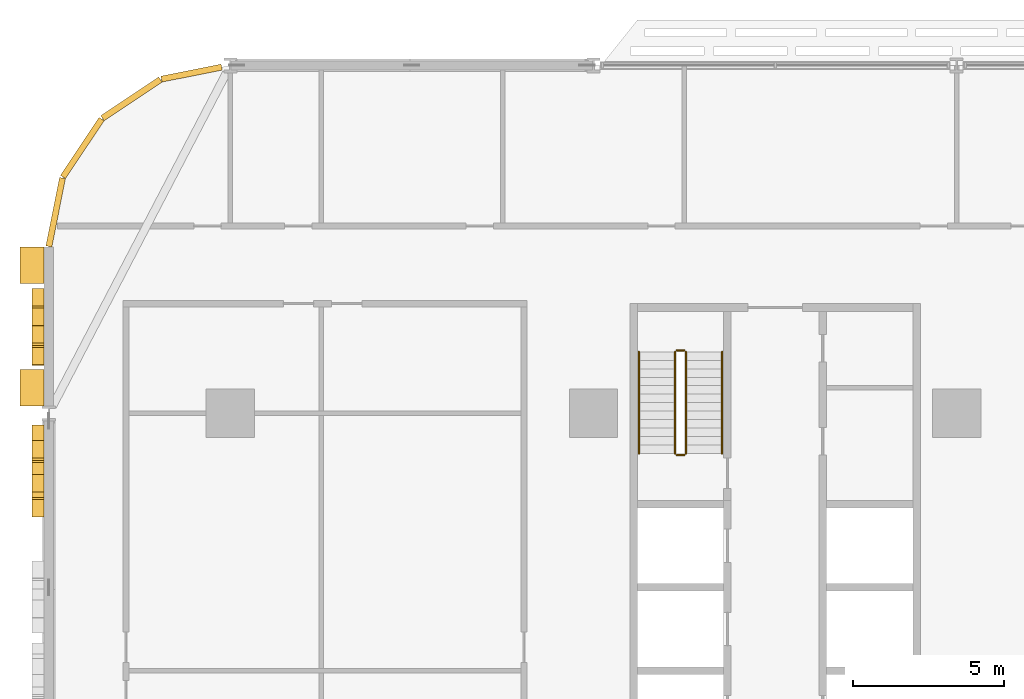
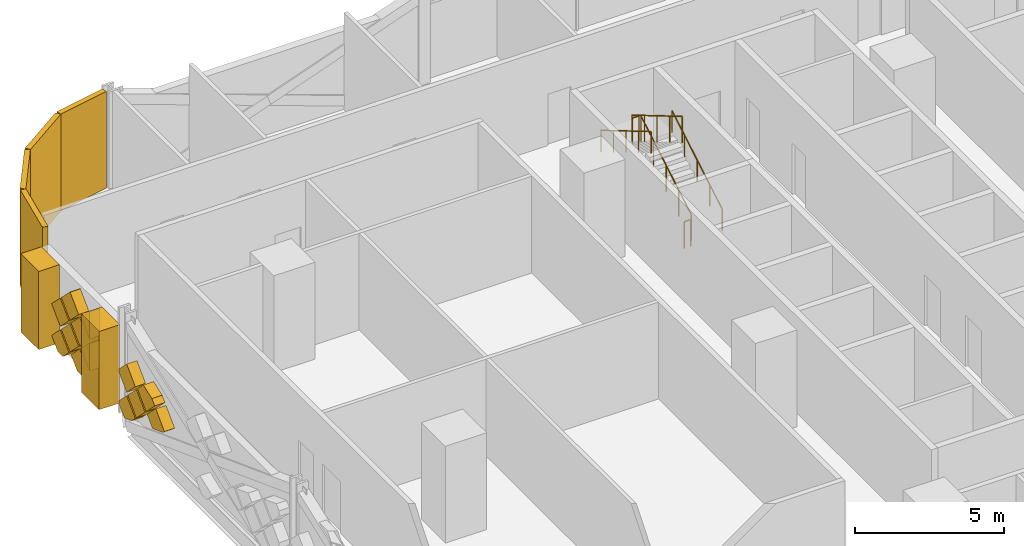
# One storey, part 24 of 27: 19 coverings, 6 railings.
"""IFC4 building model written with IfcOpenShell, lengths in metres."""

from ifc_helpers import new_model, si_unit, direction, frame, origin, origin_2d, place, context, subcontext, project, spatial, polyline, rectangle, circle, outline, extrude, material, layer, layer_set, type_object, element, save


model = new_model("IFC4")

# Units and contexts
model_context = context("Model", 3, precision=1e-05, world=origin(), true_north=direction((0.0, 1.0)))
body_context = subcontext(model_context, "Body", "Model", "MODEL_VIEW")
ifc_project = project(units=[si_unit("LENGTHUNIT", "METRE"), si_unit("AREAUNIT", "SQUARE_METRE"), si_unit("VOLUMEUNIT", "CUBIC_METRE"), si_unit("PLANEANGLEUNIT", "RADIAN"), si_unit("MASSUNIT", "GRAM", prefix="KILO")], contexts=[model_context])

# Site, building, storey
site_placement = place(None, origin())
site = spatial("IfcSite", under=ifc_project, at=site_placement, CompositionType="ELEMENT")
building_placement = place(site_placement, origin())
building = spatial("IfcBuilding", under=site, at=building_placement, Name="Mahtab Terrace Research Tower", CompositionType="ELEMENT")
storey_placement = place(building_placement, frame((0.0, 0.0, 28.699951171875)))
storey = spatial("IfcBuildingStorey", under=building, at=storey_placement, Name="L06", CompositionType="ELEMENT", Elevation=28.699951171875)

# Coverings
ifc_material_1 = material(Name="Black aluminium cladding panel", Category="aluminium")
ifc_layer_1 = layer(ifc_material_1, 0.199951171875)
ifc_layer_set_1 = layer_set([ifc_layer_1], Name="Black metal corner cladding 200")
covering_type_1 = type_object("IfcCoveringType", Name="Black metal corner cladding 200", PredefinedType="CLADDING", material=ifc_layer_set_1)
covering_1_placement = place(storey_placement, frame((-43.28173828125, 22.744873046875, 0.0), z_axis=(0.0, 0.0, 1.0), x_axis=(-0.980760981187, -0.195212442692, 0.0)))
element("IfcCovering", 1, at=covering_1_placement, inside=storey, type_object=covering_type_1, Name="Corner cladding L06 10", PredefinedType="CLADDING", context=body_context, shape_type="SweptSolid", body=[
    extrude(rectangle(XDim=2.0283203125, YDim=0.199951171875, at=origin_2d()), origin(), (0.0, 0.0, 1.0), 3.9599609375),
])
for number, where, z_axis, x_axis, name in (
    (2, (-45.26953125, 21.89306640625, 0.0), (0.0, 0.0, 1.0), (-0.831655794326, -0.555291490808, 0.0), "Corner cladding L06 11"),
    (3, (-46.89306640625, 20.26953125, 0.0), (0.0, 0.0, 1.0), (-0.555291490808, -0.831655794326, 0.0), "Corner cladding L06 12"),
    (4, (-47.771484375, 18.14794921875, 0.0), (0.0, 0.0, 1.0), (-0.195212442692, -0.980760981187, 0.0), "Corner cladding L06 13"),
):
    element("IfcCovering", number, at=place(storey_placement, frame(where, z_axis=z_axis, x_axis=x_axis)), inside=storey, type_object=covering_type_1, Name=name, PredefinedType="CLADDING", context=body_context, shape_type="SweptSolid", body=[
        extrude(rectangle(XDim=2.30126953125, YDim=0.199951171875, at=origin_2d()), origin(), (0.0, 0.0, 1.0), 3.9599609375),
    ])
ifc_material_2 = material(Name="Bronze anodised aluminium", Category="aluminium")
ifc_layer_2 = layer(ifc_material_2, 0.39990234375)
ifc_layer_set_2 = layer_set([ifc_layer_2], Name="Mashrabiya relief panel 400")
covering_type_2 = type_object("IfcCoveringType", Name="Mashrabiya relief panel 400", PredefinedType="CLADDING", material=ifc_layer_set_2)
covering_2_placement = place(storey_placement, frame((-48.14990234375, 15.6298828125, 0.550048828125), z_axis=(1.0, 0.0, 0.0), x_axis=(0.0, -0.706957932274, 0.707255598772)))
element("IfcCovering", 5, at=covering_2_placement, inside=storey, type_object=covering_type_2, Name="Mashrabiya lattice cell L06 W14.1", PredefinedType="CLADDING", context=body_context, shape_type="SweptSolid", body=[
    extrude(outline(polyline([(0.0, 0.0), (0.8201817362875763, 0.0), (0.8200090664636573, 0.8203543334390104), (0.23305520836335525, 0.820230790214826), (-0.0002961403756186476, 0.5867811882763831), (0.0, 0.0)])), origin(), (0.0, 0.0, -1.0), 0.39990234375),
])
covering_3_placement = place(storey_placement, frame((-48.14990234375, 15.050048828125, 2.429931640625), z_axis=(1.0, 0.0, 0.0), x_axis=(0.0, -0.707255598772, -0.706957932274)))
element("IfcCovering", 6, at=covering_3_placement, inside=storey, type_object=covering_type_2, Name="Mashrabiya lattice cell L06 W14.2", PredefinedType="CLADDING", context=body_context, shape_type="SweptSolid", body=[
    extrude(outline(polyline([(0.0, 0.0), (0.8201817362875763, 0.0), (0.8200090664636573, 0.8203543334390104), (-0.00017259715143413956, 0.8200090664636573), (0.0, 0.0)])), origin(), (0.0, 0.0, -1.0), 0.39990234375),
])
covering_4_placement = place(storey_placement, frame((-48.14990234375, 14.39990234375, 1.780029296875), z_axis=(1.0, 0.0, 0.0), x_axis=(0.0, -0.706957932274, -0.707255598772)))
element("IfcCovering", 7, at=covering_4_placement, inside=storey, type_object=covering_type_2, Name="Mashrabiya lattice cell L06 W14.3", PredefinedType="CLADDING", context=body_context, shape_type="SweptSolid", body=[
    extrude(outline(polyline([(0.0, 0.0), (0.8201817362875763, 0.0), (0.8203543334390104, 0.8200090664636573), (0.00017266982391900276, 0.8203543334390104), (0.0, 0.0)])), origin(), (0.0, 0.0, -1.0), 0.39990234375),
])
covering_5_placement = place(storey_placement, frame((-48.14990234375, 13.820068359375, 2.5), z_axis=(1.0, 0.0, 0.0), x_axis=(0.0, 0.707106781187, -0.707106781187)))
element("IfcCovering", 8, at=covering_5_placement, inside=storey, type_object=covering_type_2, Name="Mashrabiya lattice cell L06 W14.4", PredefinedType="CLADDING", context=body_context, shape_type="SweptSolid", body=[
    extrude(outline(polyline([(0.0, 0.0), (0.8200090846279543, 0.0), (0.820181718119455, 0.820181718119455), (0.01691808216706092, 0.8203543516109556), (-0.0001726334915006511, 0.803263635952394), (0.0, 0.0)])), origin(), (0.0, 0.0, -1.0), 0.39990234375),
])
covering_6_placement = place(storey_placement, frame((-48.14990234375, 14.330078125, 0.550048828125), z_axis=(1.0, 0.0, 0.0), x_axis=(0.0, -0.707106781187, 0.707106781187)))
element("IfcCovering", 9, at=covering_6_placement, inside=storey, type_object=covering_type_2, Name="Mashrabiya lattice cell L06 W14.5", PredefinedType="CLADDING", context=body_context, shape_type="SweptSolid", body=[
    extrude(outline(polyline([(0.0, 0.0), (0.8203543516109556, 0.0), (0.8203543516109556, 0.8203543516109556), (0.23340048050884088, 0.8203543516109556), (0.0, 0.5869538711021147), (0.0, 0.0)])), origin(), (0.0, 0.0, -1.0), 0.39990234375),
])
covering_7_placement = place(storey_placement, frame((-48.14990234375, 13.75, 2.429931640625), z_axis=(1.0, 0.0, 0.0), x_axis=(0.0, -0.707255598772, -0.706957932274)))
element("IfcCovering", 10, at=covering_7_placement, inside=storey, type_object=covering_type_2, Name="Mashrabiya lattice cell L06 W14.6", PredefinedType="CLADDING", context=body_context, shape_type="SweptSolid", body=[
    extrude(outline(polyline([(0.0, 0.0), (0.8201817362875763, 0.0), (0.8200090664636573, 0.8203543334390104), (-0.0003452669753531423, 0.8201816636150915), (0.0, 0.0)])), origin(), (0.0, 0.0, -1.0), 0.39990234375),
])
covering_8_placement = place(storey_placement, frame((-48.14990234375, 13.10009765625, 0.6201171875), z_axis=(1.0, 0.0, 0.0), x_axis=(0.0, 0.707106781187, 0.707106781187)))
element("IfcCovering", 11, at=covering_8_placement, inside=storey, type_object=covering_type_2, Name="Mashrabiya lattice cell L06 W14.7", PredefinedType="CLADDING", context=body_context, shape_type="SweptSolid", body=[
    extrude(outline(polyline([(0.0, 0.0), (0.8200090846279543, 0.0), (0.820181718119455, 0.820181718119455), (0.7975667307328734, 0.8203543516109556), (-0.00017263349150062161, 0.022614987386581478), (0.0, 0.0)])), origin(), (0.0, 0.0, -1.0), 0.39990234375),
])
covering_9_placement = place(storey_placement, frame((-48.14990234375, 13.10009765625, 1.920166015625), z_axis=(1.0, 0.0, 0.0), x_axis=(0.0, 0.707106781187, 0.707106781187)))
element("IfcCovering", 12, at=covering_9_placement, inside=storey, type_object=covering_type_2, Name="Mashrabiya lattice cell L06 W14.8", PredefinedType="CLADDING", context=body_context, shape_type="SweptSolid", body=[
    extrude(outline(polyline([(0.0, 0.0), (0.8200090846279543, 0.0), (0.820181718119455, 0.803263635952394), (0.7973940972413728, 0.820181718119455), (-0.00017263349150062161, 0.022614987386581478), (0.0, 0.0)])), origin(), (0.0, 0.0, -1.0), 0.39990234375),
])
covering_10_placement = place(storey_placement, frame((-48.14990234375, 11.115966796875, 0.485107421875), z_axis=(1.0, 0.0, 0.0), x_axis=(0.0, 0.0, 1.0)))
element("IfcCovering", 13, at=covering_10_placement, inside=storey, type_object=covering_type_2, Name="Mashrabiya lattice cell L06 W15.1", PredefinedType="CLADDING", context=body_context, shape_type="SweptSolid", body=[
    extrude(outline(polyline([(0.0, 0.0), (0.1298828125, 0.0), (0.64501953125, 0.514892578125), (0.06494140625, 1.094970703125), (-0.16015625, 0.869873046875), (-0.35009765625, 0.362060546875), (0.0, 0.0)])), origin(), (0.0, 0.0, -1.0), 0.39990234375),
])
covering_11_placement = place(storey_placement, frame((-48.14990234375, 10.60107421875, 2.429931640625), z_axis=(1.0, 0.0, 0.0), x_axis=(0.0, -0.707255598772, -0.706957932274)))
element("IfcCovering", 14, at=covering_11_placement, inside=storey, type_object=covering_type_2, Name="Mashrabiya lattice cell L06 W15.2", PredefinedType="CLADDING", context=body_context, shape_type="SweptSolid", body=[
    extrude(outline(polyline([(0.0, 0.0), (0.8201817362875763, 0.0), (0.8200090664636573, 0.8203543334390104), (0.0916684182924955, 0.820028397344618), (-0.0001532662704735177, 0.7281680510197277), (0.0, 0.0)])), origin(), (0.0, 0.0, -1.0), 0.39990234375),
])
covering_12_placement = place(storey_placement, frame((-48.14990234375, 9.950927734375, 1.780029296875), z_axis=(1.0, 0.0, 0.0), x_axis=(0.0, -0.706957932274, -0.707255598772)))
element("IfcCovering", 15, at=covering_12_placement, inside=storey, type_object=covering_type_2, Name="Mashrabiya lattice cell L06 W15.3", PredefinedType="CLADDING", context=body_context, shape_type="SweptSolid", body=[
    extrude(outline(polyline([(0.0, 0.0), (0.8201817362875763, 0.0), (0.8203543334390104, 0.8200090664636573), (0.00017266982391900276, 0.8203543334390104), (0.0, 0.0)])), origin(), (0.0, 0.0, -1.0), 0.39990234375),
])
covering_13_placement = place(storey_placement, frame((-48.14990234375, 8.720947265625, 1.85009765625), z_axis=(1.0, 0.0, 0.0), x_axis=(0.0, 0.707106781187, -0.707106781187)))
element("IfcCovering", 16, at=covering_13_placement, inside=storey, type_object=covering_type_2, Name="Mashrabiya lattice cell L06 W15.4", PredefinedType="CLADDING", context=body_context, shape_type="SweptSolid", body=[
    extrude(outline(polyline([(0.0, 0.0), (0.8203543516109556, 0.0), (0.8203543516109556, 0.8203543516109556), (0.2532533320314124, 0.820181718119455), (0.0, 0.26585557691095785), (0.0, 0.0)])), origin(), (0.0, 0.0, -1.0), 0.39990234375),
])
covering_14_placement = place(storey_placement, frame((-48.14990234375, 9.23095703125, 1.199951171875), z_axis=(1.0, 0.0, 0.0), x_axis=(0.0, -0.707106781187, 0.707106781187)))
element("IfcCovering", 17, at=covering_14_placement, inside=storey, type_object=covering_type_2, Name="Mashrabiya lattice cell L06 W15.5", PredefinedType="CLADDING", context=body_context, shape_type="SweptSolid", body=[
    extrude(outline(polyline([(0.0, 0.0), (0.8203543516109556, 0.0), (0.820181718119455, 0.820181718119455), (0.6803485900039511, 0.820181718119455), (0.0, 0.5103046008758385), (0.0, 0.0)])), origin(), (0.0, 0.0, -1.0), 0.39990234375),
])
ifc_material_3 = material(Name="Glazed ceramic tile cladding", Category="masonry")
ifc_layer_3 = layer(ifc_material_3, 0.800048828125)
ifc_layer_set_3 = layer_set([ifc_layer_3], Name="Pishtaq frame pier 800")
covering_type_3 = type_object("IfcCoveringType", Name="Pishtaq frame pier 800", PredefinedType="CLADDING", material=ifc_layer_set_3)
for number, where, z_axis, x_axis, name in (
    (18, (-48.550048828125, 16.39990234375, 0.00048828125), (0.0, 0.0, 1.0), (0.0, -1.0, 0.0), "Pishtaq frame pier 14a"),
    (19, (-48.550048828125, 12.34912109375, 0.00048828125), (0.0, 0.0, 1.0), (0.0, -1.0, 0.0), "Pishtaq frame pier 14b"),
):
    element("IfcCovering", number, at=place(storey_placement, frame(where, z_axis=z_axis, x_axis=x_axis)), inside=storey, type_object=covering_type_3, Name=name, PredefinedType="CLADDING", context=body_context, shape_type="SweptSolid", body=[
        extrude(rectangle(XDim=1.199951171875, YDim=0.800048828125, at=origin_2d()), origin(), (0.0, 0.0, 1.0), 3.202880859375),
    ])

# Railings
ifc_material_4 = material(Name="Stainless steel AISI 304", Category="steel")
railing_type_1 = type_object("IfcRailingType", Name="Stair guard 1100", PredefinedType="GUARDRAIL", material=ifc_material_4)
railing_1_placement = place(storey_placement, frame((-26.949951171875, 10.175048828125, 0.16552734375)))
element("IfcRailing", 20, at=railing_1_placement, inside=storey, type_object=railing_type_1, Name="L06 ST1 stair guard 1", PredefinedType="GUARDRAIL", context=body_context, shape_type="SweptSolid", body=[
    extrude(circle(Radius=0.02392578125, at=origin_2d()), frame((0.0, 0.0, 1.076171875), z_axis=(0.0, 0.861011212953, 0.508585972249), x_axis=(-1.0, 0.0, 0.0)), (0.0, 0.0, 1.0), 3.90234375),
    extrude(circle(Radius=0.02099609375, at=origin_2d()), origin(), (0.0, 0.0, 1.0), 1.052001953125),
    extrude(circle(Radius=0.02099609375, at=origin_2d()), frame((0.0, 0.83984375, 0.49609375)), (0.0, 0.0, 1.0), 1.052001953125),
    extrude(circle(Radius=0.02099609375, at=origin_2d()), frame((0.0, 1.679931640625, 0.9921875)), (0.0, 0.0, 1.0), 1.052001953125),
    extrude(circle(Radius=0.02099609375, at=origin_2d()), frame((0.0, 2.52001953125, 1.488525390625)), (0.0, 0.0, 1.0), 1.052001953125),
    extrude(circle(Radius=0.02099609375, at=origin_2d()), frame((0.0, 3.35986328125, 1.984619140625)), (0.0, 0.0, 1.0), 1.052001953125),
])
railing_2_placement = place(storey_placement, frame((-27.0, 13.5849609375, 2.150146484375)))
element("IfcRailing", 21, at=railing_2_placement, inside=storey, type_object=railing_type_1, Name="L06 ST1 stair guard 2", PredefinedType="GUARDRAIL", context=body_context, shape_type="SweptSolid", body=[
    extrude(circle(Radius=0.02392578125, at=origin_2d()), frame((0.0, 0.0, 1.076171875), z_axis=(-1.0, 0.0, 0.0), x_axis=(0.0, -1.0, 0.0)), (0.0, 0.0, 1.0), 0.25),
    extrude(circle(Radius=0.02099609375, at=origin_2d()), origin(), (0.0, 0.0, 1.0), 1.052001953125),
    extrude(circle(Radius=0.02099609375, at=origin_2d()), frame((-0.25, 0.0, 0.0)), (0.0, 0.0, 1.0), 1.052001953125),
])
railing_3_placement = place(storey_placement, frame((-27.300048828125, 13.534912109375, 2.3154296875)))
element("IfcRailing", 22, at=railing_3_placement, inside=storey, type_object=railing_type_1, Name="L06 ST1 stair guard 3", PredefinedType="GUARDRAIL", context=body_context, shape_type="SweptSolid", body=[
    extrude(circle(Radius=0.02392578125, at=origin_2d()), frame((0.0, 0.0, 1.076171875), z_axis=(0.0, -0.861011212953, 0.508585972249), x_axis=(1.0, 0.0, 0.0)), (0.0, 0.0, 1.0), 3.90234375),
    extrude(circle(Radius=0.02099609375, at=origin_2d()), origin(), (0.0, 0.0, 1.0), 1.052001953125),
    extrude(circle(Radius=0.02099609375, at=origin_2d()), frame((0.0, -0.83984375, 0.49609375)), (0.0, 0.0, 1.0), 1.052001953125),
    extrude(circle(Radius=0.02099609375, at=origin_2d()), frame((0.0, -1.679931640625, 0.9921875)), (0.0, 0.0, 1.0), 1.052001953125),
    extrude(circle(Radius=0.02099609375, at=origin_2d()), frame((0.0, -2.52001953125, 1.488525390625)), (0.0, 0.0, 1.0), 1.052001953125),
    extrude(circle(Radius=0.02099609375, at=origin_2d()), frame((0.0, -3.35986328125, 1.984619140625)), (0.0, 0.0, 1.0), 1.052001953125),
])
railing_4_placement = place(storey_placement, frame((-27.0, 10.125, 0.0)))
element("IfcRailing", 23, at=railing_4_placement, inside=storey, type_object=railing_type_1, Name="L06 ST1 stair guard 4", PredefinedType="GUARDRAIL", context=body_context, shape_type="SweptSolid", body=[
    extrude(circle(Radius=0.02392578125, at=origin_2d()), frame((0.0, 0.0, 1.076171875), z_axis=(-1.0, 0.0, 0.0), x_axis=(0.0, -1.0, 0.0)), (0.0, 0.0, 1.0), 0.25),
    extrude(circle(Radius=0.02099609375, at=origin_2d()), origin(), (0.0, 0.0, 1.0), 1.052001953125),
    extrude(circle(Radius=0.02099609375, at=origin_2d()), frame((-0.25, 0.0, 0.0)), (0.0, 0.0, 1.0), 1.052001953125),
])
railing_type_2 = type_object("IfcRailingType", Name="Stair handrail 900", PredefinedType="HANDRAIL", material=ifc_material_4)
railing_5_placement = place(storey_placement, frame((-25.75, 10.175048828125, 0.16552734375)))
element("IfcRailing", 24, at=railing_5_placement, inside=storey, type_object=railing_type_2, Name="L06 ST1 stair handrail 1", PredefinedType="HANDRAIL", context=body_context, shape_type="SweptSolid", body=[
    extrude(circle(Radius=0.02392578125, at=origin_2d()), frame((0.0, 0.0, 0.8759765625), z_axis=(0.0, 0.861011212953, 0.508585972249), x_axis=(-1.0, 0.0, 0.0)), (0.0, 0.0, 1.0), 3.90234375),
    extrude(circle(Radius=0.02099609375, at=origin_2d()), origin(), (0.0, 0.0, 1.0), 0.851806640625),
    extrude(circle(Radius=0.02099609375, at=origin_2d()), frame((0.0, 0.83984375, 0.49609375)), (0.0, 0.0, 1.0), 0.851806640625),
    extrude(circle(Radius=0.02099609375, at=origin_2d()), frame((0.0, 1.679931640625, 0.9921875)), (0.0, 0.0, 1.0), 0.851806640625),
    extrude(circle(Radius=0.02099609375, at=origin_2d()), frame((0.0, 2.52001953125, 1.488525390625)), (0.0, 0.0, 1.0), 0.851806640625),
    extrude(circle(Radius=0.02099609375, at=origin_2d()), frame((0.0, 3.35986328125, 1.984619140625)), (0.0, 0.0, 1.0), 0.851806640625),
])
railing_6_placement = place(storey_placement, frame((-28.5, 13.534912109375, 2.3154296875)))
element("IfcRailing", 25, at=railing_6_placement, inside=storey, type_object=railing_type_2, Name="L06 ST1 stair handrail 2", PredefinedType="HANDRAIL", context=body_context, shape_type="SweptSolid", body=[
    extrude(circle(Radius=0.02392578125, at=origin_2d()), frame((0.0, 0.0, 0.8759765625), z_axis=(0.0, -0.861011212953, 0.508585972249), x_axis=(1.0, 0.0, 0.0)), (0.0, 0.0, 1.0), 3.90234375),
    extrude(circle(Radius=0.02099609375, at=origin_2d()), origin(), (0.0, 0.0, 1.0), 0.851806640625),
    extrude(circle(Radius=0.02099609375, at=origin_2d()), frame((0.0, -0.83984375, 0.49609375)), (0.0, 0.0, 1.0), 0.851806640625),
    extrude(circle(Radius=0.02099609375, at=origin_2d()), frame((0.0, -1.679931640625, 0.9921875)), (0.0, 0.0, 1.0), 0.851806640625),
    extrude(circle(Radius=0.02099609375, at=origin_2d()), frame((0.0, -2.52001953125, 1.488525390625)), (0.0, 0.0, 1.0), 0.851806640625),
    extrude(circle(Radius=0.02099609375, at=origin_2d()), frame((0.0, -3.35986328125, 1.984619140625)), (0.0, 0.0, 1.0), 0.851806640625),
])

save(model, "model.ifc")
